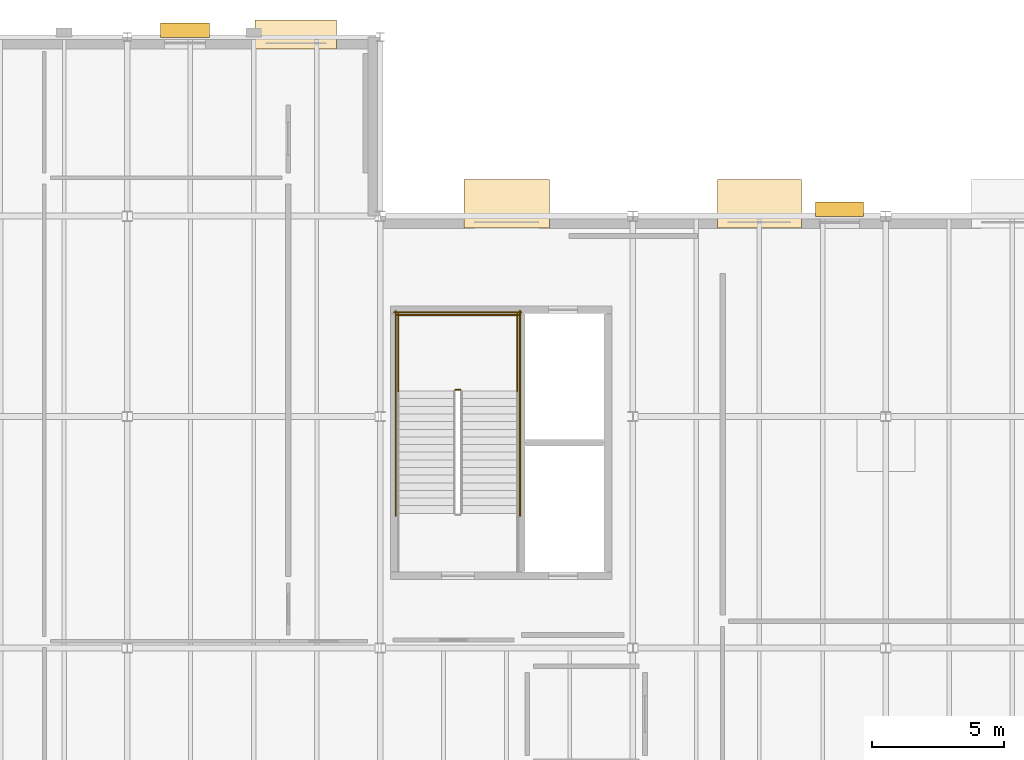
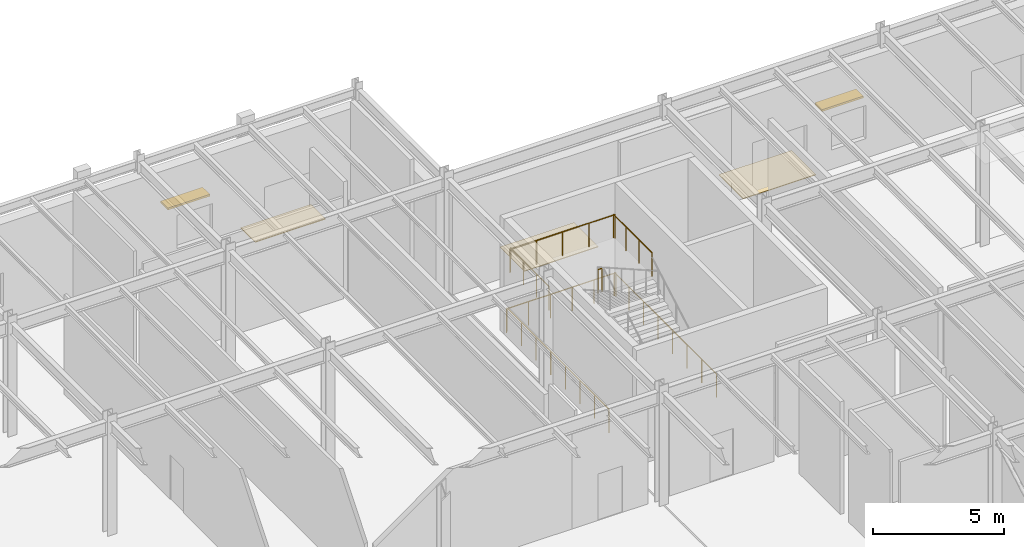
# One storey, part 67 of 70: 7 railings, 3 coverings, 2 shading devices.
"""IFC4 building model written with IfcOpenShell, lengths in metres."""

from ifc_helpers import new_model, si_unit, direction, frame, origin, origin_2d, place, context, subcontext, project, spatial, rectangle, circle, extrude, material, layer, layer_set, type_object, element, save


model = new_model("IFC4")

# Units and contexts
model_context = context("Model", 3, precision=1e-05, world=origin(), true_north=direction((0.0, 1.0)))
body_context = subcontext(model_context, "Body", "Model", "MODEL_VIEW")
ifc_project = project(units=[si_unit("LENGTHUNIT", "METRE"), si_unit("AREAUNIT", "SQUARE_METRE"), si_unit("VOLUMEUNIT", "CUBIC_METRE"), si_unit("PLANEANGLEUNIT", "RADIAN"), si_unit("MASSUNIT", "GRAM", prefix="KILO")], contexts=[model_context])

# Site, building, storey
site_placement = place(None, origin())
site = spatial("IfcSite", under=ifc_project, at=site_placement, CompositionType="ELEMENT")
building_placement = place(site_placement, origin())
building = spatial("IfcBuilding", under=site, at=building_placement, Name="Sarnbrook Museum", CompositionType="ELEMENT")
storey_placement = place(building_placement, origin())
storey = spatial("IfcBuildingStorey", under=building, at=storey_placement, Name="L00", CompositionType="ELEMENT", Elevation=0.0)

# Shading devices
ifc_material_1 = material(Name="Patinated Architectural Bronze")
shading_device_type = type_object("IfcShadingDeviceType", Name="BriseSoleil_Horizontal", PredefinedType="SHUTTER", material=ifc_material_1)
shading_device_1_placement = place(storey_placement, frame((98.239990234375, 108.669921875, 2.46484375), z_axis=(0.0, 0.0, 1.0), x_axis=(1.0, 0.0, 0.0)))
element("IfcShadingDevice", 1, at=shading_device_1_placement, inside=storey, type_object=shading_device_type, Name="Horizontal Bronze Brise-Soleil BS-001", PredefinedType="SHUTTER", context=body_context, shape_type="SweptSolid", body=[
    extrude(rectangle(XDim=1.820068359375, YDim=0.550048828125, at=origin_2d()), origin(), (0.0, 0.0, 1.0), 0.090087890625),
])
shading_device_2_placement = place(storey_placement, frame((73.388916015625, 115.469970703125, 2.46484375), z_axis=(0.0, 0.0, 1.0), x_axis=(1.0, 0.0, 0.0)))
element("IfcShadingDevice", 2, at=shading_device_2_placement, inside=storey, type_object=shading_device_type, Name="Horizontal Bronze Brise-Soleil BS-002", PredefinedType="SHUTTER", context=body_context, shape_type="SweptSolid", body=[
    extrude(rectangle(XDim=1.85009765625, YDim=0.550048828125, at=origin_2d()), origin(), (0.0, 0.0, 1.0), 0.090087890625),
])

# Railings
ifc_material_2 = material(Name="Brushed Stainless Steel Grade 316", Category="steel")
ifc_layer_1 = layer(ifc_material_2, 0.050048828125)
ifc_layer_set_1 = layer_set([ifc_layer_1], Name="Brushed Stainless Steel Grade 316")
railing_type = type_object("IfcRailingType", Name="Guard_Int1120", PredefinedType="BALUSTRADE", material=ifc_layer_set_1)
railing_1_placement = place(storey_placement, frame((83.840087890625, 101.81005859375, 2.800048828125)))
element("IfcRailing", 3, at=railing_1_placement, inside=storey, type_object=railing_type, Name="L00 ST4 stair guard 2", PredefinedType="BALUSTRADE", context=body_context, shape_type="SweptSolid", body=[
    extrude(circle(Radius=0.02392578125, at=origin_2d()), frame((0.0, 0.0, 1.09619140625), z_axis=(-1.0, 0.0, 0.0), x_axis=(0.0, -1.0, 0.0)), (0.0, 0.0, 1.0), 0.18017578125),
    extrude(circle(Radius=0.02099609375, at=origin_2d()), origin(), (0.0, 0.0, 1.0), 1.072021484375),
    extrude(circle(Radius=0.02099609375, at=origin_2d()), frame((-0.18017578125, 0.0, 0.0)), (0.0, 0.0, 1.0), 1.072021484375),
])
for number, where, name in (
    (4, (86.010009765625, 101.760009765625, 2.800048828125), "L00 ST4 stair guard 3"),
    (5, (81.489990234375, 101.760009765625, 2.800048828125), "L00 ST4 stair guard 4"),
):
    element("IfcRailing", number, at=place(storey_placement, frame(where)), inside=storey, type_object=railing_type, Name=name, PredefinedType="BALUSTRADE", context=body_context, shape_type="SweptSolid", body=[
        extrude(circle(Radius=0.02392578125, at=origin_2d()), frame((0.0, 0.0, 1.09619140625), z_axis=(0.0, 1.0, 0.0), x_axis=(-1.0, 0.0, 0.0)), (0.0, 0.0, 1.0), 2.93994140625),
        extrude(circle(Radius=0.02099609375, at=origin_2d()), origin(), (0.0, 0.0, 1.0), 1.072021484375),
        extrude(circle(Radius=0.02099609375, at=origin_2d()), frame((0.0, 0.97998046875, 0.0)), (0.0, 0.0, 1.0), 1.072021484375),
        extrude(circle(Radius=0.02099609375, at=origin_2d()), frame((0.0, 1.9599609375, 0.0)), (0.0, 0.0, 1.0), 1.072021484375),
        extrude(circle(Radius=0.02099609375, at=origin_2d()), frame((0.0, 2.93994140625, 0.0)), (0.0, 0.0, 1.0), 1.072021484375),
    ])
railing_2_placement = place(storey_placement, frame((86.06005859375, 104.64990234375, 2.800048828125)))
element("IfcRailing", 6, at=railing_2_placement, inside=storey, type_object=railing_type, Name="L00 ST4 stair guard 5", PredefinedType="BALUSTRADE", context=body_context, shape_type="SweptSolid", body=[
    extrude(circle(Radius=0.02392578125, at=origin_2d()), frame((0.0, 0.0, 1.09619140625), z_axis=(-1.0, 0.0, 0.0), x_axis=(0.0, -1.0, 0.0)), (0.0, 0.0, 1.0), 4.6201171875),
    extrude(circle(Radius=0.02099609375, at=origin_2d()), origin(), (0.0, 0.0, 1.0), 1.072021484375),
    extrude(circle(Radius=0.02099609375, at=origin_2d()), frame((-1.155029296875, 0.0, 0.0)), (0.0, 0.0, 1.0), 1.072021484375),
    extrude(circle(Radius=0.02099609375, at=origin_2d()), frame((-2.31005859375, 0.0, 0.0)), (0.0, 0.0, 1.0), 1.072021484375),
    extrude(circle(Radius=0.02099609375, at=origin_2d()), frame((-3.465087890625, 0.0, 0.0)), (0.0, 0.0, 1.0), 1.072021484375),
    extrude(circle(Radius=0.02099609375, at=origin_2d()), frame((-4.6201171875, 0.0, 0.0)), (0.0, 0.0, 1.0), 1.072021484375),
])
for number, where, name in (
    (7, (86.110107421875, 97.02001953125, 0.0), "L00 ST4 stair guard 10"),
    (8, (81.389892578125, 97.02001953125, 0.0), "L00 ST4 stair guard 11"),
):
    element("IfcRailing", number, at=place(storey_placement, frame(where)), inside=storey, type_object=railing_type, Name=name, PredefinedType="BALUSTRADE", context=body_context, shape_type="SweptSolid", body=[
        extrude(circle(Radius=0.02392578125, at=origin_2d()), frame((0.0, 0.0, 1.09619140625), z_axis=(0.0, 1.0, 0.0), x_axis=(-1.0, 0.0, 0.0)), (0.0, 0.0, 1.0), 7.780029296875),
        extrude(circle(Radius=0.02099609375, at=origin_2d()), origin(), (0.0, 0.0, 1.0), 1.072021484375),
        extrude(circle(Radius=0.02099609375, at=origin_2d()), frame((0.0, 1.111328125, 0.0)), (0.0, 0.0, 1.0), 1.072021484375),
        extrude(circle(Radius=0.02099609375, at=origin_2d()), frame((0.0, 2.222900390625, 0.0)), (0.0, 0.0, 1.0), 1.072021484375),
        extrude(circle(Radius=0.02099609375, at=origin_2d()), frame((0.0, 3.334228515625, 0.0)), (0.0, 0.0, 1.0), 1.072021484375),
        extrude(circle(Radius=0.02099609375, at=origin_2d()), frame((0.0, 4.44580078125, 0.0)), (0.0, 0.0, 1.0), 1.072021484375),
        extrude(circle(Radius=0.02099609375, at=origin_2d()), frame((0.0, 5.55712890625, 0.0)), (0.0, 0.0, 1.0), 1.072021484375),
        extrude(circle(Radius=0.02099609375, at=origin_2d()), frame((0.0, 6.668701171875, 0.0)), (0.0, 0.0, 1.0), 1.072021484375),
        extrude(circle(Radius=0.02099609375, at=origin_2d()), frame((0.0, 7.780029296875, 0.0)), (0.0, 0.0, 1.0), 1.072021484375),
    ])
railing_3_placement = place(storey_placement, frame((86.159912109375, 104.75, 0.0)))
element("IfcRailing", 9, at=railing_3_placement, inside=storey, type_object=railing_type, Name="L00 ST4 stair guard 12", PredefinedType="BALUSTRADE", context=body_context, shape_type="SweptSolid", body=[
    extrude(circle(Radius=0.02392578125, at=origin_2d()), frame((0.0, 0.0, 1.09619140625), z_axis=(-1.0, 0.0, 0.0), x_axis=(0.0, -1.0, 0.0)), (0.0, 0.0, 1.0), 4.81982421875),
    extrude(circle(Radius=0.02099609375, at=origin_2d()), origin(), (0.0, 0.0, 1.0), 1.072021484375),
    extrude(circle(Radius=0.02099609375, at=origin_2d()), frame((-0.9638671875, 0.0, 0.0)), (0.0, 0.0, 1.0), 1.072021484375),
    extrude(circle(Radius=0.02099609375, at=origin_2d()), frame((-1.927978515625, 0.0, 0.0)), (0.0, 0.0, 1.0), 1.072021484375),
    extrude(circle(Radius=0.02099609375, at=origin_2d()), frame((-2.891845703125, 0.0, 0.0)), (0.0, 0.0, 1.0), 1.072021484375),
    extrude(circle(Radius=0.02099609375, at=origin_2d()), frame((-3.85595703125, 0.0, 0.0)), (0.0, 0.0, 1.0), 1.072021484375),
    extrude(circle(Radius=0.02099609375, at=origin_2d()), frame((-4.81982421875, 0.0, 0.0)), (0.0, 0.0, 1.0), 1.072021484375),
])

# Coverings
ifc_material_3 = material(Name="Victorian Bluestone Ashlar Masonry", Category="masonry")
ifc_layer_2 = layer(ifc_material_3, 0.030029296875)
ifc_layer_set_2 = layer_set([ifc_layer_2], Name="Victorian Bluestone Ashlar Masonry")
covering_type = type_object("IfcCoveringType", Name="Paving_BluestoneApron", PredefinedType="FLOORING", material=ifc_layer_set_2)
covering_1_placement = place(storey_placement, frame((85.60009765625, 108.8701171875, -0.02978515625), z_axis=(0.0, 0.0, 1.0), x_axis=(1.0, 0.0, 0.0)))
element("IfcCovering", 10, at=covering_1_placement, inside=storey, type_object=covering_type, Name="Exterior Bluestone Entry Paving 17", PredefinedType="FLOORING", context=body_context, shape_type="SweptSolid", body=[
    extrude(rectangle(XDim=3.25, YDim=1.85009765625, at=origin_2d()), origin(), (0.0, 0.0, 1.0), 0.030029296875),
])
covering_2_placement = place(storey_placement, frame((95.199951171875, 108.8701171875, -0.02978515625), z_axis=(0.0, 0.0, 1.0), x_axis=(1.0, 0.0, 0.0)))
element("IfcCovering", 11, at=covering_2_placement, inside=storey, type_object=covering_type, Name="Exterior Bluestone Entry Paving 18", PredefinedType="FLOORING", context=body_context, shape_type="SweptSolid", body=[
    extrude(rectangle(XDim=3.199951171875, YDim=1.85009765625, at=origin_2d()), origin(), (0.0, 0.0, 1.0), 0.030029296875),
])
covering_3_placement = place(storey_placement, frame((77.60009765625, 115.297607421875, -0.02978515625), z_axis=(0.0, 0.0, 1.0), x_axis=(1.0, 0.0, 0.0)))
element("IfcCovering", 12, at=covering_3_placement, inside=storey, type_object=covering_type, Name="Exterior Bluestone Entry Paving 21", PredefinedType="FLOORING", context=body_context, shape_type="SweptSolid", body=[
    extrude(rectangle(XDim=3.10009765625, YDim=1.10498046875, at=origin_2d()), origin(), (0.0, 0.0, 1.0), 0.030029296875),
])

save(model, "model.ifc")
